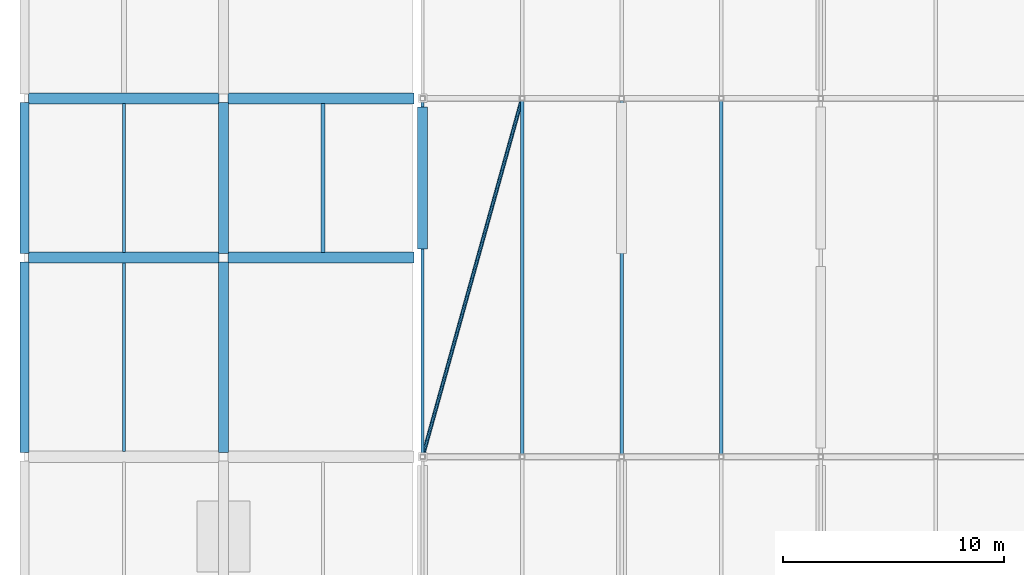
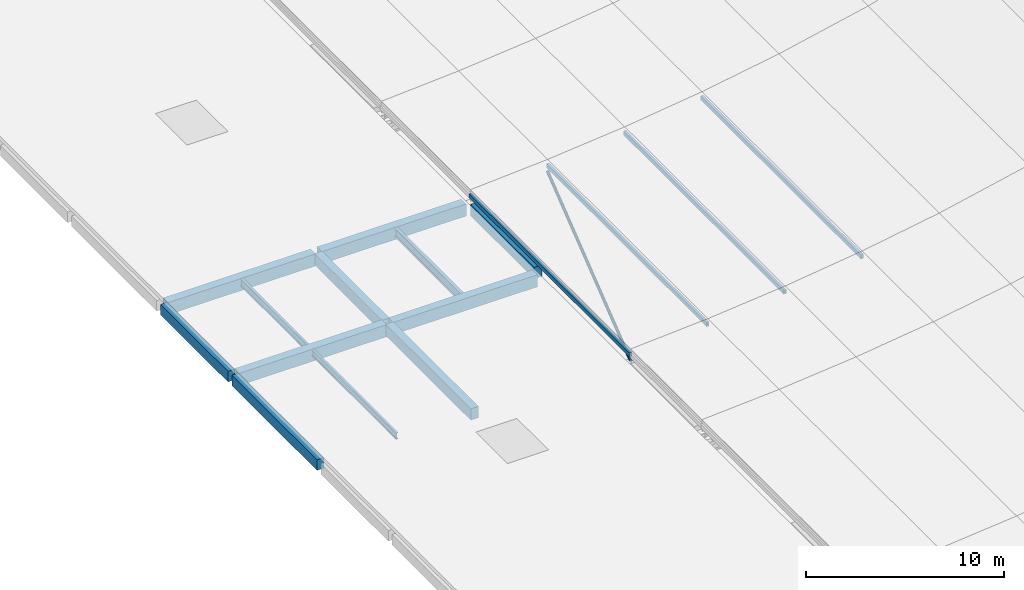
# One storey, part 8 of 24: 12 beams, 5 members.
"""IFC4 building model written with IfcOpenShell, lengths in metres."""

from ifc_helpers import new_model, si_unit, direction, frame, origin, origin_2d, place, context, subcontext, project, spatial, rectangle, hollow_rectangle, hollow_circle, i_section, extrude, material, material_profile, profile_set, type_object, element, save


model = new_model("IFC4")

# Units and contexts
model_context = context("Model", 3, precision=1e-05, world=origin(), true_north=direction((0.0, 1.0)))
body_context = subcontext(model_context, "Body", "Model", "MODEL_VIEW")
ifc_project = project(units=[si_unit("LENGTHUNIT", "METRE"), si_unit("AREAUNIT", "SQUARE_METRE"), si_unit("VOLUMEUNIT", "CUBIC_METRE"), si_unit("PLANEANGLEUNIT", "RADIAN"), si_unit("MASSUNIT", "GRAM", prefix="KILO"), si_unit("THERMODYNAMICTEMPERATUREUNIT", "KELVIN"), si_unit("POWERUNIT", "WATT")], contexts=[model_context])

# Site, building, storey
site_placement = place(None, origin())
site = spatial("IfcSite", under=ifc_project, at=site_placement, CompositionType="ELEMENT")
building_placement = place(site_placement, origin())
building = spatial("IfcBuilding", under=site, at=building_placement, Name="Sindhuravela Promenade Stadium", CompositionType="ELEMENT")
storey_placement = place(building_placement, frame((0.0, 0.0, 28.800048828125)))
storey = spatial("IfcBuildingStorey", under=building, at=storey_placement, Name="RF", CompositionType="ELEMENT", Elevation=28.800048828125)

# Beams
ifc_material_1 = material(Name="Concrete M40", Category="concrete")
ifc_material_profile_1 = material_profile(ifc_material_1, rectangle(XDim=0.39990234375, YDim=0.64990234375, at=origin_2d()), Name="RC 400x650")
ifc_profile_set_1 = profile_set([ifc_material_profile_1], Name="Concrete M40")
beam_type_1 = type_object("IfcBeamType", Name="RC-BM-400x650", PredefinedType="SPANDREL", material=ifc_profile_set_1)
beam_1_placement = place(storey_placement, frame((0.0, 68.59326171875, -0.56494140625), z_axis=(0.0, 1.0, 0.0), x_axis=(-1.0, 0.0, 0.0)))
element("IfcBeam", 1, at=beam_1_placement, inside=storey, type_object=beam_type_1, Name="Primary beam SP01 WEST RF", PredefinedType="SPANDREL", context=body_context, shape_type="SweptSolid", body=[
    extrude(rectangle(XDim=0.39990234375, YDim=0.64990234375, at=origin_2d()), origin(), (0.0, 0.0, 1.0), 8.613525390625),
])
beam_2_placement = place(storey_placement, frame((0.0, 77.59326171875, -0.56494140625), z_axis=(0.0, 1.0, 0.0), x_axis=(-1.0, 0.0, 0.0)))
element("IfcBeam", 2, at=beam_2_placement, inside=storey, type_object=beam_type_1, Name="Primary beam SP01 WEST RF", PredefinedType="SPANDREL", context=body_context, shape_type="SweptSolid", body=[
    extrude(rectangle(XDim=0.39990234375, YDim=0.64990234375, at=origin_2d()), origin(), (0.0, 0.0, 1.0), 6.8134765625),
])
ifc_material_profile_2 = material_profile(ifc_material_1, rectangle(XDim=0.449951171875, YDim=0.699951171875, at=origin_2d()), Name="RC 450x700")
ifc_profile_set_2 = profile_set([ifc_material_profile_2], Name="Concrete M40")
beam_type_2 = type_object("IfcBeamType", Name="RC-BM-450x700", PredefinedType="BEAM", material=ifc_profile_set_2)
beam_3_placement = place(storey_placement, frame((9.0, 68.59326171875, -0.590087890625), z_axis=(0.0, 1.0, 0.0), x_axis=(-1.0, 0.0, 0.0)))
element("IfcBeam", 3, at=beam_3_placement, inside=storey, type_object=beam_type_2, Name="Primary beam GB07 WEST RF", PredefinedType="BEAM", context=body_context, shape_type="SweptSolid", body=[
    extrude(rectangle(XDim=0.449951171875, YDim=0.699951171875, at=origin_2d()), origin(), (0.0, 0.0, 1.0), 8.613525390625),
])
beam_4_placement = place(storey_placement, frame((9.0, 77.59326171875, -0.590087890625), z_axis=(0.0, 1.0, 0.0), x_axis=(-1.0, 0.0, 0.0)))
element("IfcBeam", 4, at=beam_4_placement, inside=storey, type_object=beam_type_2, Name="Primary beam GB07 WEST RF", PredefinedType="BEAM", context=body_context, shape_type="SweptSolid", body=[
    extrude(rectangle(XDim=0.449951171875, YDim=0.699951171875, at=origin_2d()), origin(), (0.0, 0.0, 1.0), 6.8134765625),
])
beam_5_placement = place(storey_placement, frame((18.0, 77.7900390625, -0.590087890625), z_axis=(0.0, 1.0, 0.0), x_axis=(-1.0, 0.0, 0.0)))
element("IfcBeam", 5, at=beam_5_placement, inside=storey, type_object=beam_type_2, Name="Primary beam GB07 WEST RF", PredefinedType="BEAM", context=body_context, shape_type="SweptSolid", body=[
    extrude(rectangle(XDim=0.449951171875, YDim=0.699951171875, at=origin_2d()), origin(), (0.0, 0.0, 1.0), 6.419921875),
])
ifc_material_profile_3 = material_profile(ifc_material_1, rectangle(XDim=0.5, YDim=0.75, at=origin_2d()), Name="RC 500x750")
ifc_profile_set_3 = profile_set([ifc_material_profile_3], Name="Concrete M40")
beam_type_3 = type_object("IfcBeamType", Name="RC-BM-500x750", PredefinedType="BEAM", material=ifc_profile_set_3)
beam_6_placement = place(storey_placement, frame((0.193115234375, 77.39990234375, -0.614990234375), z_axis=(1.0, 0.0, 0.0), x_axis=(0.0, 1.0, 0.0)))
element("IfcBeam", 6, at=beam_6_placement, inside=storey, type_object=beam_type_3, Name="Primary girder GB06 WEST RF", PredefinedType="BEAM", context=body_context, shape_type="SweptSolid", body=[
    extrude(rectangle(XDim=0.5, YDim=0.75, at=origin_2d()), origin(), (0.0, 0.0, 1.0), 8.61376953125),
])
beam_7_placement = place(storey_placement, frame((9.193115234375, 77.39990234375, -0.614990234375), z_axis=(1.0, 0.0, 0.0), x_axis=(0.0, 1.0, 0.0)))
element("IfcBeam", 7, at=beam_7_placement, inside=storey, type_object=beam_type_3, Name="Primary girder GB06 WEST RF", PredefinedType="BEAM", context=body_context, shape_type="SweptSolid", body=[
    extrude(rectangle(XDim=0.5, YDim=0.75, at=origin_2d()), origin(), (0.0, 0.0, 1.0), 8.4169921875),
])
beam_8_placement = place(storey_placement, frame((0.193115234375, 84.60009765625, -0.614990234375), z_axis=(1.0, 0.0, 0.0), x_axis=(0.0, 1.0, 0.0)))
element("IfcBeam", 8, at=beam_8_placement, inside=storey, type_object=beam_type_3, Name="Primary girder GB06 WEST RF", PredefinedType="BEAM", context=body_context, shape_type="SweptSolid", body=[
    extrude(rectangle(XDim=0.5, YDim=0.75, at=origin_2d()), origin(), (0.0, 0.0, 1.0), 8.61376953125),
])
beam_9_placement = place(storey_placement, frame((9.193115234375, 84.60009765625, -0.614990234375), z_axis=(1.0, 0.0, 0.0), x_axis=(0.0, 1.0, 0.0)))
element("IfcBeam", 9, at=beam_9_placement, inside=storey, type_object=beam_type_3, Name="Primary girder GB06 WEST RF", PredefinedType="BEAM", context=body_context, shape_type="SweptSolid", body=[
    extrude(rectangle(XDim=0.5, YDim=0.75, at=origin_2d()), origin(), (0.0, 0.0, 1.0), 8.4169921875),
])
ifc_material_2 = material(Name="Steel E350 (IS 2062 E350BR)", Category="steel")
ifc_material_profile_4 = material_profile(ifc_material_2, i_section(OverallWidth=0.139892578125, OverallDepth=0.39990234375, WebThickness=0.0087890625, FlangeThickness=0.01611328125, FilletRadius=0.013916015625, at=origin_2d()), Name="ISMB 400")
ifc_profile_set_4 = profile_set([ifc_material_profile_4], Name="Steel E350 (IS 2062 E350BR)")
beam_type_4 = type_object("IfcBeamType", Name="ST-BM-MB400", PredefinedType="BEAM", material=ifc_profile_set_4)
beam_10_placement = place(storey_placement, frame((4.5, 68.639892578125, -0.43994140625), z_axis=(0.0, 1.0, 0.0), x_axis=(-1.0, 0.0, 0.0)))
element("IfcBeam", 10, at=beam_10_placement, inside=storey, type_object=beam_type_4, Name="Secondary floor joist SB05 WEST RF", PredefinedType="BEAM", context=body_context, shape_type="SweptSolid", body=[
    extrude(i_section(OverallWidth=0.139892578125, OverallDepth=0.39990234375, WebThickness=0.0087890625, FlangeThickness=0.01611328125, FilletRadius=0.013916015625, at=origin_2d()), origin(), (0.0, 0.0, 1.0), 8.52001953125),
])
ifc_material_profile_5 = material_profile(ifc_material_2, i_section(OverallWidth=0.14990234375, OverallDepth=0.449951171875, WebThickness=0.009521484375, FlangeThickness=0.017333984375, FilletRadius=0.014892578125, at=origin_2d()), Name="ISMB 450")
ifc_profile_set_5 = profile_set([ifc_material_profile_5], Name="Steel E350 (IS 2062 E350BR)")
beam_type_5 = type_object("IfcBeamType", Name="ST-BM-MB450", PredefinedType="BEAM", material=ifc_profile_set_5)
beam_11_placement = place(storey_placement, frame((4.5, 77.639892578125, -0.465087890625), z_axis=(0.0, 1.0, 0.0), x_axis=(-1.0, 0.0, 0.0)))
element("IfcBeam", 11, at=beam_11_placement, inside=storey, type_object=beam_type_5, Name="Secondary floor joist SB06 WEST RF", PredefinedType="BEAM", context=body_context, shape_type="SweptSolid", body=[
    extrude(i_section(OverallWidth=0.14990234375, OverallDepth=0.449951171875, WebThickness=0.009521484375, FlangeThickness=0.017333984375, FilletRadius=0.014892578125, at=origin_2d()), origin(), (0.0, 0.0, 1.0), 6.72021484375),
])
ifc_material_profile_6 = material_profile(ifc_material_2, i_section(OverallWidth=0.18994140625, OverallDepth=0.550048828125, WebThickness=0.01123046875, FlangeThickness=0.019287109375, FilletRadius=0.01806640625, at=origin_2d()), Name="ISMB 550")
ifc_profile_set_6 = profile_set([ifc_material_profile_6], Name="Steel E350 (IS 2062 E350BR)")
beam_type_6 = type_object("IfcBeamType", Name="ST-BM-MB550", PredefinedType="SPANDREL", material=ifc_profile_set_6)
beam_12_placement = place(storey_placement, frame((13.5, 77.639892578125, -0.51513671875), z_axis=(0.0, 1.0, 0.0), x_axis=(-1.0, 0.0, 0.0)))
element("IfcBeam", 12, at=beam_12_placement, inside=storey, type_object=beam_type_6, Name="Secondary floor joist SB08 WEST RF", PredefinedType="SPANDREL", context=body_context, shape_type="SweptSolid", body=[
    extrude(i_section(OverallWidth=0.18994140625, OverallDepth=0.550048828125, WebThickness=0.01123046875, FlangeThickness=0.019287109375, FilletRadius=0.01806640625, at=origin_2d()), origin(), (0.0, 0.0, 1.0), 6.72021484375),
])

# Members
ifc_material_profile_7 = material_profile(ifc_material_2, hollow_circle(Radius=0.084228515625, WallThickness=0.008056640625, at=origin_2d()), Name="CHS 168.3x8")
ifc_profile_set_7 = profile_set([ifc_material_profile_7], Name="Steel E350 (IS 2062 E350BR)")
member_type_1 = type_object("IfcMemberType", Name="ST-MB-CHS168", PredefinedType="BRACE", material=ifc_profile_set_7)
member_placement = place(storey_placement, frame((18.0, 68.39990234375, -0.400146484375), z_axis=(0.26760011211167584, 0.9633720181902322, 0.017450918769435456), x_axis=(-0.9635187417425564, 0.26764086816261984, 0.0)))
element("IfcMember", 13, at=member_placement, inside=storey, type_object=member_type_1, Name="Roof wind brace MB03 W bay 4", PredefinedType="BRACE", context=body_context, shape_type="SweptSolid", body=[
    extrude(hollow_circle(Radius=0.084228515625, WallThickness=0.008056640625, at=origin_2d()), origin(), (0.0, 0.0, 1.0), 16.816162109375),
])
ifc_material_profile_8 = material_profile(ifc_material_2, hollow_rectangle(XDim=0.14990234375, YDim=0.25, WallThickness=0.010009765625, at=origin_2d()), Name="RHS 250x150x10")
ifc_profile_set_8 = profile_set([ifc_material_profile_8], Name="Steel E350 (IS 2062 E350BR)")
member_type_2 = type_object("IfcMemberType", Name="ST-MB-RHS250", PredefinedType="PURLIN", material=ifc_profile_set_8)
for number, where, z_axis, x_axis, name in (
    (14, (18.0, 68.39990234375, -0.008056640625), (0.0, 1.0, 0.0), (-1.0, 0.0, 0.0), "Roof purlin PR01 W bay 4.1"),
    (15, (22.5, 68.39990234375, 0.28515625), (0.0, 1.0, 0.0), (-1.0, 0.0, 0.0), "Roof purlin PR01 W bay 4.2"),
    (16, (27.0, 68.39990234375, 0.720703125), (0.0, 1.0, 0.0), (-1.0, 0.0, 0.0), "Roof purlin PR01 W bay 4.3"),
    (17, (31.5, 68.39990234375, 1.31005859375), (0.0, 1.0, 0.0), (-1.0, 0.0, 0.0), "Roof purlin PR01 W bay 4.4"),
):
    element("IfcMember", number, at=place(storey_placement, frame(where, z_axis=z_axis, x_axis=x_axis)), inside=storey, type_object=member_type_2, Name=name, PredefinedType="PURLIN", context=body_context, shape_type="SweptSolid", body=[
        extrude(hollow_rectangle(XDim=0.14990234375, YDim=0.25, WallThickness=0.010009765625, at=origin_2d()), origin(), (0.0, 0.0, 1.0), 16.2001953125),
    ])

save(model, "model.ifc")
